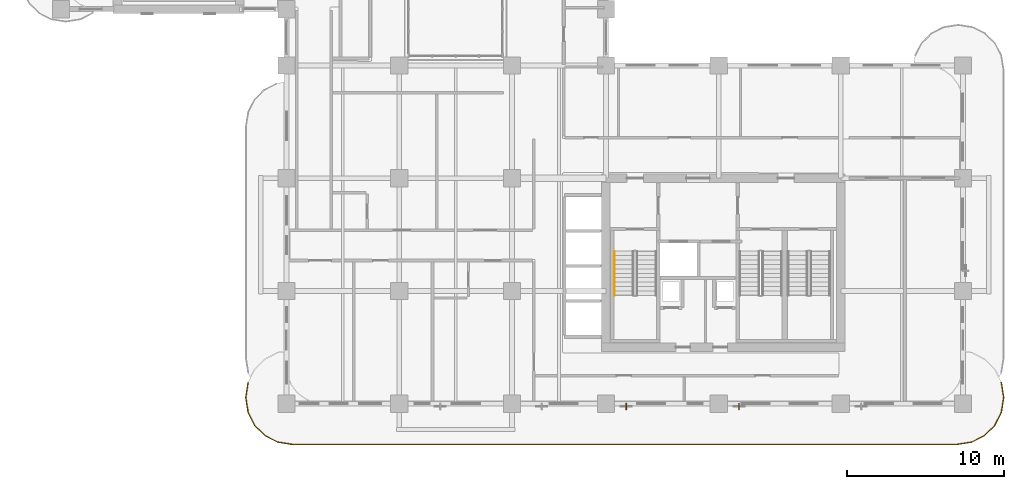
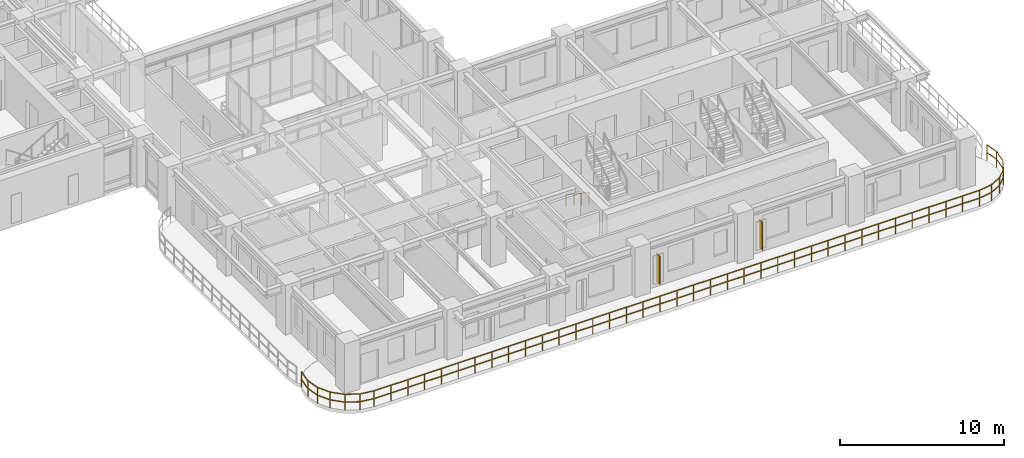
# One storey, part 19 of 22: 2 railings, 2 shading devices.
"""IFC4 building model written with IfcOpenShell, lengths in metres."""

from ifc_helpers import new_model, si_unit, derived_unit, direction, frame, origin, origin_2d, place, context, subcontext, project, spatial, rectangle, extrude, source, transform, mapped, material, layer, layer_set, type_object, type_shapes, element, save


model = new_model("IFC4")

# Units and contexts
model_context = context("Model", 3, precision=1e-05, world=origin(), true_north=direction((0.0, 1.0)))
body_context = subcontext(model_context, "Body", "Model", "MODEL_VIEW")
ifc_project = project(units=[si_unit("LENGTHUNIT", "METRE"), si_unit("AREAUNIT", "SQUARE_METRE"), si_unit("VOLUMEUNIT", "CUBIC_METRE"), si_unit("PLANEANGLEUNIT", "RADIAN"), si_unit("MASSUNIT", "GRAM", prefix="KILO"), si_unit("THERMODYNAMICTEMPERATUREUNIT", "KELVIN"), si_unit("POWERUNIT", "WATT"), derived_unit("THERMALTRANSMITTANCEUNIT", [(si_unit("POWERUNIT", "WATT"), 1), (si_unit("AREAUNIT", "SQUARE_METRE"), -1), (si_unit("THERMODYNAMICTEMPERATUREUNIT", "KELVIN"), -1)])], contexts=[model_context])

# Site, building, storey
site_placement = place(None, origin())
site = spatial("IfcSite", under=ifc_project, at=site_placement, CompositionType="ELEMENT")
building_placement = place(site_placement, origin())
building = spatial("IfcBuilding", under=site, at=building_placement, Name="Zahravan Archway Hotel and Residences", CompositionType="ELEMENT")
storey_placement = place(building_placement, frame((0.0, 0.0, 99.0)))
storey = spatial("IfcBuildingStorey", under=building, at=storey_placement, Name="L24", CompositionType="ELEMENT", Elevation=99.0)

# Railings
ifc_material_1 = material(Name="Bronze & Laminated Glass Balustrade", Category="glass")
railing_type_1 = type_object("IfcRailingType", Name="RL-BAL-1200", PredefinedType="BALUSTRADE", material=ifc_material_1)
railing_1_placement = place(storey_placement, frame((60.0556640625, 1.361572265625, 0.0)))
element("IfcRailing", 1, at=railing_1_placement, inside=storey, type_object=railing_type_1, Name="L24 Balustrade RL-SLB-BAL-L24-SA-1", PredefinedType="BALUSTRADE", context=body_context, shape_type="SweptSolid", body=[
    extrude(rectangle(XDim=0.048095703125, YDim=0.048095703125, at=origin_2d()), frame((0.0, 0.0, 1.17578125), z_axis=(0.156329311416, -0.987704989555, 0.0), x_axis=(0.987704989555, 0.156329311416, 0.0)), (0.0, 0.0, 1.0), 0.9228515625),
    extrude(rectangle(XDim=0.048095703125, YDim=0.048095703125, at=origin_2d()), frame((0.0, 0.0, 0.60009765625), z_axis=(0.156329311416, -0.987704989555, 0.0), x_axis=(0.987704989555, 0.156329311416, 0.0)), (0.0, 0.0, 1.0), 0.9228515625),
    extrude(rectangle(XDim=0.048095703125, YDim=0.048095703125, at=origin_2d()), frame((0.144287109375, -0.91162109375, 1.17578125), z_axis=(0.0, -1.0, 0.0), x_axis=(1.0, 0.0, 0.0)), (0.0, 0.0, 1.0), 0.099853515625),
    extrude(rectangle(XDim=0.048095703125, YDim=0.048095703125, at=origin_2d()), frame((0.144287109375, -0.91162109375, 0.60009765625), z_axis=(0.0, -1.0, 0.0), x_axis=(1.0, 0.0, 0.0)), (0.0, 0.0, 1.0), 0.099853515625),
    extrude(rectangle(XDim=0.048095703125, YDim=0.048095703125, at=origin_2d()), frame((0.144287109375, -1.011474609375, 1.17578125), z_axis=(-0.156329311416, -0.987704989555, 0.0), x_axis=(0.987704989555, -0.156329311416, 0.0)), (0.0, 0.0, 1.0), 0.9228515625),
    extrude(rectangle(XDim=0.048095703125, YDim=0.048095703125, at=origin_2d()), frame((0.144287109375, -1.011474609375, 0.60009765625), z_axis=(-0.156329311416, -0.987704989555, 0.0), x_axis=(0.987704989555, -0.156329311416, 0.0)), (0.0, 0.0, 1.0), 0.9228515625),
    extrude(rectangle(XDim=0.048095703125, YDim=0.048095703125, at=origin_2d()), frame((0.0, -1.923095703125, 1.17578125), z_axis=(-0.453866348456, -0.891069771532, 0.0), x_axis=(0.891069771532, -0.453866348456, 0.0)), (0.0, 0.0, 1.0), 0.923095703125),
    extrude(rectangle(XDim=0.048095703125, YDim=0.048095703125, at=origin_2d()), frame((0.0, -1.923095703125, 0.60009765625), z_axis=(-0.453866348456, -0.891069771532, 0.0), x_axis=(0.891069771532, -0.453866348456, 0.0)), (0.0, 0.0, 1.0), 0.923095703125),
    extrude(rectangle(XDim=0.048095703125, YDim=0.048095703125, at=origin_2d()), frame((-0.4189453125, -2.74560546875, 1.17578125), z_axis=(-0.707239012465, -0.706974525176, 0.0), x_axis=(0.706974525176, -0.707239012465, 0.0)), (0.0, 0.0, 1.0), 0.923095703125),
    extrude(rectangle(XDim=0.048095703125, YDim=0.048095703125, at=origin_2d()), frame((-0.4189453125, -2.74560546875, 0.60009765625), z_axis=(-0.707239012465, -0.706974525176, 0.0), x_axis=(0.706974525176, -0.707239012465, 0.0)), (0.0, 0.0, 1.0), 0.923095703125),
    extrude(rectangle(XDim=0.048095703125, YDim=0.048095703125, at=origin_2d()), frame((-1.07177734375, -3.398193359375, 1.17578125), z_axis=(-0.891015268556, -0.453973337542, 0.0), x_axis=(0.453973337542, -0.891015268556, 0.0)), (0.0, 0.0, 1.0), 0.9228515625),
    extrude(rectangle(XDim=0.048095703125, YDim=0.048095703125, at=origin_2d()), frame((-1.07177734375, -3.398193359375, 0.60009765625), z_axis=(-0.891015268556, -0.453973337542, 0.0), x_axis=(0.453973337542, -0.891015268556, 0.0)), (0.0, 0.0, 1.0), 0.9228515625),
    extrude(rectangle(XDim=0.048095703125, YDim=0.048095703125, at=origin_2d()), frame((-1.89404296875, -3.817138671875, 1.17578125), z_axis=(-0.98766411426, -0.156587347521, 0.0), x_axis=(0.156587347521, -0.98766411426, 0.0)), (0.0, 0.0, 1.0), 0.923095703125),
    extrude(rectangle(XDim=0.048095703125, YDim=0.048095703125, at=origin_2d()), frame((-1.89404296875, -3.817138671875, 0.60009765625), z_axis=(-0.98766411426, -0.156587347521, 0.0), x_axis=(0.156587347521, -0.98766411426, 0.0)), (0.0, 0.0, 1.0), 0.923095703125),
    extrude(rectangle(XDim=0.048095703125, YDim=0.048095703125, at=origin_2d()), frame((-2.8056640625, -3.961669921875, 1.17578125), z_axis=(-1.0, 0.0, 0.0), x_axis=(0.0, -1.0, 0.0)), (0.0, 0.0, 1.0), 42.5),
    extrude(rectangle(XDim=0.048095703125, YDim=0.048095703125, at=origin_2d()), frame((-2.8056640625, -3.961669921875, 0.60009765625), z_axis=(-1.0, 0.0, 0.0), x_axis=(0.0, -1.0, 0.0)), (0.0, 0.0, 1.0), 42.5),
    extrude(rectangle(XDim=0.048095703125, YDim=0.048095703125, at=origin_2d()), frame((-45.3056640625, -3.961669921875, 1.17578125), z_axis=(-0.98766411426, 0.156587347521, 0.0), x_axis=(-0.156587347521, -0.98766411426, 0.0)), (0.0, 0.0, 1.0), 0.923095703125),
    extrude(rectangle(XDim=0.048095703125, YDim=0.048095703125, at=origin_2d()), frame((-45.3056640625, -3.961669921875, 0.60009765625), z_axis=(-0.98766411426, 0.156587347521, 0.0), x_axis=(-0.156587347521, -0.98766411426, 0.0)), (0.0, 0.0, 1.0), 0.923095703125),
    extrude(rectangle(XDim=0.048095703125, YDim=0.048095703125, at=origin_2d()), frame((-46.21728515625, -3.817138671875, 1.17578125), z_axis=(-0.891015268556, 0.453973337542, 0.0), x_axis=(-0.453973337542, -0.891015268556, 0.0)), (0.0, 0.0, 1.0), 0.9228515625),
    extrude(rectangle(XDim=0.048095703125, YDim=0.048095703125, at=origin_2d()), frame((-46.21728515625, -3.817138671875, 0.60009765625), z_axis=(-0.891015268556, 0.453973337542, 0.0), x_axis=(-0.453973337542, -0.891015268556, 0.0)), (0.0, 0.0, 1.0), 0.9228515625),
    extrude(rectangle(XDim=0.048095703125, YDim=0.048095703125, at=origin_2d()), frame((-47.03955078125, -3.398193359375, 1.17578125), z_axis=(-0.707239012465, 0.706974525176, 0.0), x_axis=(-0.706974525176, -0.707239012465, 0.0)), (0.0, 0.0, 1.0), 0.923095703125),
    extrude(rectangle(XDim=0.048095703125, YDim=0.048095703125, at=origin_2d()), frame((-47.03955078125, -3.398193359375, 0.60009765625), z_axis=(-0.707239012465, 0.706974525176, 0.0), x_axis=(-0.706974525176, -0.707239012465, 0.0)), (0.0, 0.0, 1.0), 0.923095703125),
    extrude(rectangle(XDim=0.048095703125, YDim=0.048095703125, at=origin_2d()), frame((-47.6923828125, -2.74560546875, 1.17578125), z_axis=(-0.453866348456, 0.891069771532, 0.0), x_axis=(-0.891069771532, -0.453866348456, 0.0)), (0.0, 0.0, 1.0), 0.923095703125),
    extrude(rectangle(XDim=0.048095703125, YDim=0.048095703125, at=origin_2d()), frame((-47.6923828125, -2.74560546875, 0.60009765625), z_axis=(-0.453866348456, 0.891069771532, 0.0), x_axis=(-0.891069771532, -0.453866348456, 0.0)), (0.0, 0.0, 1.0), 0.923095703125),
    extrude(rectangle(XDim=0.048095703125, YDim=0.048095703125, at=origin_2d()), frame((-48.111328125, -1.923095703125, 1.17578125), z_axis=(-0.156329311416, 0.987704989555, 0.0), x_axis=(-0.987704989555, -0.156329311416, 0.0)), (0.0, 0.0, 1.0), 0.9228515625),
    extrude(rectangle(XDim=0.048095703125, YDim=0.048095703125, at=origin_2d()), frame((-48.111328125, -1.923095703125, 0.60009765625), z_axis=(-0.156329311416, 0.987704989555, 0.0), x_axis=(-0.987704989555, -0.156329311416, 0.0)), (0.0, 0.0, 1.0), 0.9228515625),
    extrude(rectangle(XDim=0.048095703125, YDim=0.048095703125, at=origin_2d()), frame((-48.255615234375, -1.011474609375, 1.17578125), z_axis=(0.0, 1.0, 0.0), x_axis=(-1.0, 0.0, 0.0)), (0.0, 0.0, 1.0), 0.099853515625),
    extrude(rectangle(XDim=0.048095703125, YDim=0.048095703125, at=origin_2d()), frame((-48.255615234375, -1.011474609375, 0.60009765625), z_axis=(0.0, 1.0, 0.0), x_axis=(-1.0, 0.0, 0.0)), (0.0, 0.0, 1.0), 0.099853515625),
    extrude(rectangle(XDim=0.048095703125, YDim=0.048095703125, at=origin_2d()), frame((-48.255615234375, -0.91162109375, 1.17578125), z_axis=(0.156329311416, 0.987704989555, 0.0), x_axis=(-0.987704989555, 0.156329311416, 0.0)), (0.0, 0.0, 1.0), 0.9228515625),
    extrude(rectangle(XDim=0.048095703125, YDim=0.048095703125, at=origin_2d()), frame((-48.255615234375, -0.91162109375, 0.60009765625), z_axis=(0.156329311416, 0.987704989555, 0.0), x_axis=(-0.987704989555, 0.156329311416, 0.0)), (0.0, 0.0, 1.0), 0.9228515625),
    extrude(rectangle(XDim=0.0419921875, YDim=0.0419921875, at=origin_2d()), origin(), (0.0, 0.0, 1.0), 1.15185546875),
    extrude(rectangle(XDim=0.0419921875, YDim=0.0419921875, at=origin_2d()), frame((0.144287109375, -0.91162109375, 0.0)), (0.0, 0.0, 1.0), 1.15185546875),
    extrude(rectangle(XDim=0.0419921875, YDim=0.0419921875, at=origin_2d()), frame((0.0, -1.923095703125, 0.0)), (0.0, 0.0, 1.0), 1.15185546875),
    extrude(rectangle(XDim=0.0419921875, YDim=0.0419921875, at=origin_2d()), frame((-0.4189453125, -2.74560546875, 0.0)), (0.0, 0.0, 1.0), 1.15185546875),
    extrude(rectangle(XDim=0.0419921875, YDim=0.0419921875, at=origin_2d()), frame((-1.07177734375, -3.398193359375, 0.0)), (0.0, 0.0, 1.0), 1.15185546875),
    extrude(rectangle(XDim=0.0419921875, YDim=0.0419921875, at=origin_2d()), frame((-1.89404296875, -3.817138671875, 0.0)), (0.0, 0.0, 1.0), 1.15185546875),
    extrude(rectangle(XDim=0.0419921875, YDim=0.0419921875, at=origin_2d()), frame((-2.8056640625, -3.961669921875, 0.0)), (0.0, 0.0, 1.0), 1.15185546875),
    extrude(rectangle(XDim=0.0419921875, YDim=0.0419921875, at=origin_2d()), frame((-3.986328125, -3.961669921875, 0.0)), (0.0, 0.0, 1.0), 1.15185546875),
    extrude(rectangle(XDim=0.0419921875, YDim=0.0419921875, at=origin_2d()), frame((-5.166748046875, -3.961669921875, 0.0)), (0.0, 0.0, 1.0), 1.15185546875),
    extrude(rectangle(XDim=0.0419921875, YDim=0.0419921875, at=origin_2d()), frame((-6.347412109375, -3.961669921875, 0.0)), (0.0, 0.0, 1.0), 1.15185546875),
    extrude(rectangle(XDim=0.0419921875, YDim=0.0419921875, at=origin_2d()), frame((-7.52783203125, -3.961669921875, 0.0)), (0.0, 0.0, 1.0), 1.15185546875),
    extrude(rectangle(XDim=0.0419921875, YDim=0.0419921875, at=origin_2d()), frame((-8.70849609375, -3.961669921875, 0.0)), (0.0, 0.0, 1.0), 1.15185546875),
    extrude(rectangle(XDim=0.0419921875, YDim=0.0419921875, at=origin_2d()), frame((-9.888916015625, -3.961669921875, 0.0)), (0.0, 0.0, 1.0), 1.15185546875),
    extrude(rectangle(XDim=0.0419921875, YDim=0.0419921875, at=origin_2d()), frame((-11.069580078125, -3.961669921875, 0.0)), (0.0, 0.0, 1.0), 1.15185546875),
    extrude(rectangle(XDim=0.0419921875, YDim=0.0419921875, at=origin_2d()), frame((-12.25, -3.961669921875, 0.0)), (0.0, 0.0, 1.0), 1.15185546875),
    extrude(rectangle(XDim=0.0419921875, YDim=0.0419921875, at=origin_2d()), frame((-13.4306640625, -3.961669921875, 0.0)), (0.0, 0.0, 1.0), 1.15185546875),
    extrude(rectangle(XDim=0.0419921875, YDim=0.0419921875, at=origin_2d()), frame((-14.611328125, -3.961669921875, 0.0)), (0.0, 0.0, 1.0), 1.15185546875),
    extrude(rectangle(XDim=0.0419921875, YDim=0.0419921875, at=origin_2d()), frame((-15.791748046875, -3.961669921875, 0.0)), (0.0, 0.0, 1.0), 1.15185546875),
    extrude(rectangle(XDim=0.0419921875, YDim=0.0419921875, at=origin_2d()), frame((-16.972412109375, -3.961669921875, 0.0)), (0.0, 0.0, 1.0), 1.15185546875),
    extrude(rectangle(XDim=0.0419921875, YDim=0.0419921875, at=origin_2d()), frame((-18.15283203125, -3.961669921875, 0.0)), (0.0, 0.0, 1.0), 1.15185546875),
    extrude(rectangle(XDim=0.0419921875, YDim=0.0419921875, at=origin_2d()), frame((-19.33349609375, -3.961669921875, 0.0)), (0.0, 0.0, 1.0), 1.15185546875),
    extrude(rectangle(XDim=0.0419921875, YDim=0.0419921875, at=origin_2d()), frame((-20.513916015625, -3.961669921875, 0.0)), (0.0, 0.0, 1.0), 1.15185546875),
    extrude(rectangle(XDim=0.0419921875, YDim=0.0419921875, at=origin_2d()), frame((-21.694580078125, -3.961669921875, 0.0)), (0.0, 0.0, 1.0), 1.15185546875),
    extrude(rectangle(XDim=0.0419921875, YDim=0.0419921875, at=origin_2d()), frame((-22.875, -3.961669921875, 0.0)), (0.0, 0.0, 1.0), 1.15185546875),
    extrude(rectangle(XDim=0.0419921875, YDim=0.0419921875, at=origin_2d()), frame((-24.0556640625, -3.961669921875, 0.0)), (0.0, 0.0, 1.0), 1.15185546875),
    extrude(rectangle(XDim=0.0419921875, YDim=0.0419921875, at=origin_2d()), frame((-25.236328125, -3.961669921875, 0.0)), (0.0, 0.0, 1.0), 1.15185546875),
    extrude(rectangle(XDim=0.0419921875, YDim=0.0419921875, at=origin_2d()), frame((-26.416748046875, -3.961669921875, 0.0)), (0.0, 0.0, 1.0), 1.15185546875),
    extrude(rectangle(XDim=0.0419921875, YDim=0.0419921875, at=origin_2d()), frame((-27.597412109375, -3.961669921875, 0.0)), (0.0, 0.0, 1.0), 1.15185546875),
    extrude(rectangle(XDim=0.0419921875, YDim=0.0419921875, at=origin_2d()), frame((-28.77783203125, -3.961669921875, 0.0)), (0.0, 0.0, 1.0), 1.15185546875),
    extrude(rectangle(XDim=0.0419921875, YDim=0.0419921875, at=origin_2d()), frame((-29.95849609375, -3.961669921875, 0.0)), (0.0, 0.0, 1.0), 1.15185546875),
    extrude(rectangle(XDim=0.0419921875, YDim=0.0419921875, at=origin_2d()), frame((-31.138916015625, -3.961669921875, 0.0)), (0.0, 0.0, 1.0), 1.15185546875),
    extrude(rectangle(XDim=0.0419921875, YDim=0.0419921875, at=origin_2d()), frame((-32.319580078125, -3.961669921875, 0.0)), (0.0, 0.0, 1.0), 1.15185546875),
    extrude(rectangle(XDim=0.0419921875, YDim=0.0419921875, at=origin_2d()), frame((-33.5, -3.961669921875, 0.0)), (0.0, 0.0, 1.0), 1.15185546875),
    extrude(rectangle(XDim=0.0419921875, YDim=0.0419921875, at=origin_2d()), frame((-34.6806640625, -3.961669921875, 0.0)), (0.0, 0.0, 1.0), 1.15185546875),
    extrude(rectangle(XDim=0.0419921875, YDim=0.0419921875, at=origin_2d()), frame((-35.861328125, -3.961669921875, 0.0)), (0.0, 0.0, 1.0), 1.15185546875),
    extrude(rectangle(XDim=0.0419921875, YDim=0.0419921875, at=origin_2d()), frame((-37.041748046875, -3.961669921875, 0.0)), (0.0, 0.0, 1.0), 1.15185546875),
    extrude(rectangle(XDim=0.0419921875, YDim=0.0419921875, at=origin_2d()), frame((-38.222412109375, -3.961669921875, 0.0)), (0.0, 0.0, 1.0), 1.15185546875),
    extrude(rectangle(XDim=0.0419921875, YDim=0.0419921875, at=origin_2d()), frame((-39.40283203125, -3.961669921875, 0.0)), (0.0, 0.0, 1.0), 1.15185546875),
    extrude(rectangle(XDim=0.0419921875, YDim=0.0419921875, at=origin_2d()), frame((-40.58349609375, -3.961669921875, 0.0)), (0.0, 0.0, 1.0), 1.15185546875),
    extrude(rectangle(XDim=0.0419921875, YDim=0.0419921875, at=origin_2d()), frame((-41.763916015625, -3.961669921875, 0.0)), (0.0, 0.0, 1.0), 1.15185546875),
    extrude(rectangle(XDim=0.0419921875, YDim=0.0419921875, at=origin_2d()), frame((-42.944580078125, -3.961669921875, 0.0)), (0.0, 0.0, 1.0), 1.15185546875),
    extrude(rectangle(XDim=0.0419921875, YDim=0.0419921875, at=origin_2d()), frame((-44.125, -3.961669921875, 0.0)), (0.0, 0.0, 1.0), 1.15185546875),
    extrude(rectangle(XDim=0.0419921875, YDim=0.0419921875, at=origin_2d()), frame((-45.3056640625, -3.961669921875, 0.0)), (0.0, 0.0, 1.0), 1.15185546875),
    extrude(rectangle(XDim=0.0419921875, YDim=0.0419921875, at=origin_2d()), frame((-46.21728515625, -3.817138671875, 0.0)), (0.0, 0.0, 1.0), 1.15185546875),
    extrude(rectangle(XDim=0.0419921875, YDim=0.0419921875, at=origin_2d()), frame((-47.03955078125, -3.398193359375, 0.0)), (0.0, 0.0, 1.0), 1.15185546875),
    extrude(rectangle(XDim=0.0419921875, YDim=0.0419921875, at=origin_2d()), frame((-47.6923828125, -2.74560546875, 0.0)), (0.0, 0.0, 1.0), 1.15185546875),
    extrude(rectangle(XDim=0.0419921875, YDim=0.0419921875, at=origin_2d()), frame((-48.111328125, -1.923095703125, 0.0)), (0.0, 0.0, 1.0), 1.15185546875),
    extrude(rectangle(XDim=0.0419921875, YDim=0.0419921875, at=origin_2d()), frame((-48.255615234375, -1.011474609375, 0.0)), (0.0, 0.0, 1.0), 1.15185546875),
    extrude(rectangle(XDim=0.0419921875, YDim=0.0419921875, at=origin_2d()), frame((-48.111328125, 0.0, 0.0)), (0.0, 0.0, 1.0), 1.15185546875),
])
ifc_material_2 = material(Name="Brushed Stainless Steel", Category="steel")
railing_type_2 = type_object("IfcRailingType", Name="RL-STH-900", PredefinedType="HANDRAIL", material=ifc_material_2)
railing_2_placement = place(storey_placement, frame((35.35009765625, 9.72998046875, 0.168212890625)))
element("IfcRailing", 2, at=railing_2_placement, inside=storey, type_object=railing_type_2, Name="L24 ST-A1 stair handrail 1", PredefinedType="HANDRAIL", context=body_context, shape_type="SweptSolid", body=[
    extrude(rectangle(XDim=0.048095703125, YDim=0.048095703125, at=origin_2d()), frame((0.0, 0.0, 0.8759765625), z_axis=(0.0, -0.83435981716, 0.551220187865), x_axis=(1.0, 0.0, 0.0)), (0.0, 0.0, 1.0), 3.35595703125),
    extrude(rectangle(XDim=0.0419921875, YDim=0.0419921875, at=origin_2d()), origin(), (0.0, 0.0, 1.0), 0.851806640625),
    extrude(rectangle(XDim=0.0419921875, YDim=0.0419921875, at=origin_2d()), frame((0.0, -0.933349609375, 0.61669921875)), (0.0, 0.0, 1.0), 0.851806640625),
    extrude(rectangle(XDim=0.0419921875, YDim=0.0419921875, at=origin_2d()), frame((0.0, -1.86669921875, 1.233154296875)), (0.0, 0.0, 1.0), 0.851806640625),
    extrude(rectangle(XDim=0.0419921875, YDim=0.0419921875, at=origin_2d()), frame((0.0, -2.800048828125, 1.849853515625)), (0.0, 0.0, 1.0), 0.851806640625),
])

# Shading devices
ifc_material_3 = material(Name="Terracotta & Bronze Solar Brise-Soleil", Category="masonry")
ifc_layer = layer(ifc_material_3, 0.06005859375, Name="Terracotta & Bronze Solar Brise-Soleil", Category="masonry")
ifc_layer_set = layer_set([ifc_layer], Name="Terracotta & Bronze Solar Brise-Soleil")
shading_device_type = type_object("IfcShadingDeviceType", Name="SHD-MASH-FIN", PredefinedType="JALOUSIE", material=ifc_layer_set)
shared_shape = source(origin(), body_context, "Body", "SweptSolid", [
    extrude(rectangle(XDim=0.06005859375, YDim=0.419921875, at=origin_2d()), origin(), (0.0, 0.0, 1.0), 2.10009765625),
])
type_shapes(shading_device_type, [shared_shape])
for number, where, z_axis, x_axis, name in (
    (3, (36.10009765625, -0.177978515625, 0.25), (0.0, 0.0, 1.0), (1.0, 0.0, 0.0), "L24 Solar Mashrabiya Fin 03"),
    (4, (43.300048828125, -0.177978515625, 0.25), (0.0, 0.0, 1.0), (1.0, 0.0, 0.0), "L24 Solar Mashrabiya Fin 04"),
):
    element("IfcShadingDevice", number, at=place(storey_placement, frame(where, z_axis=z_axis, x_axis=x_axis)), inside=storey, type_object=shading_device_type, Name=name, PredefinedType="JALOUSIE", context=body_context, shape_type="MappedRepresentation", body=[
        mapped(shared_shape, transform((0.0, 0.0, 0.0), scale=1.0)),
    ])

save(model, "model.ifc")
